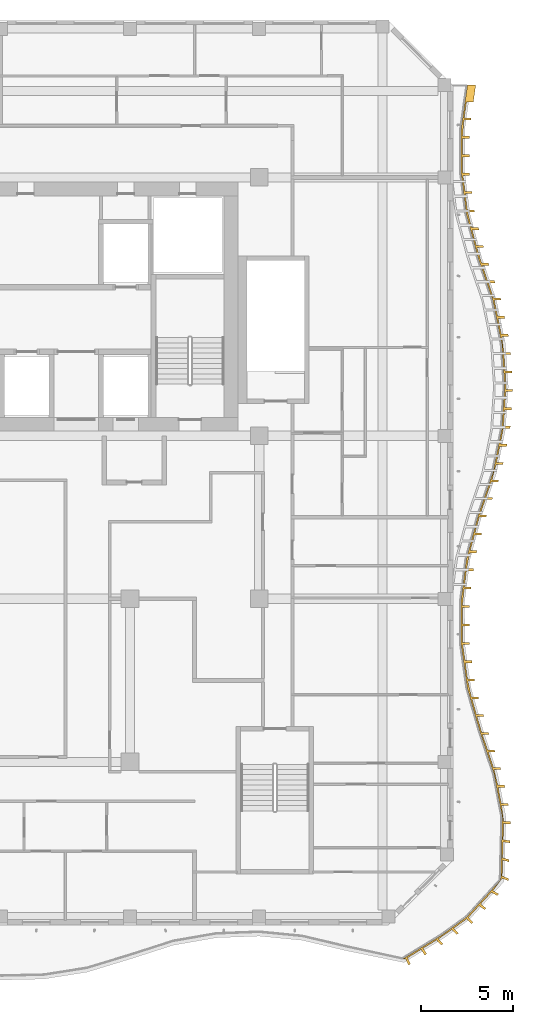
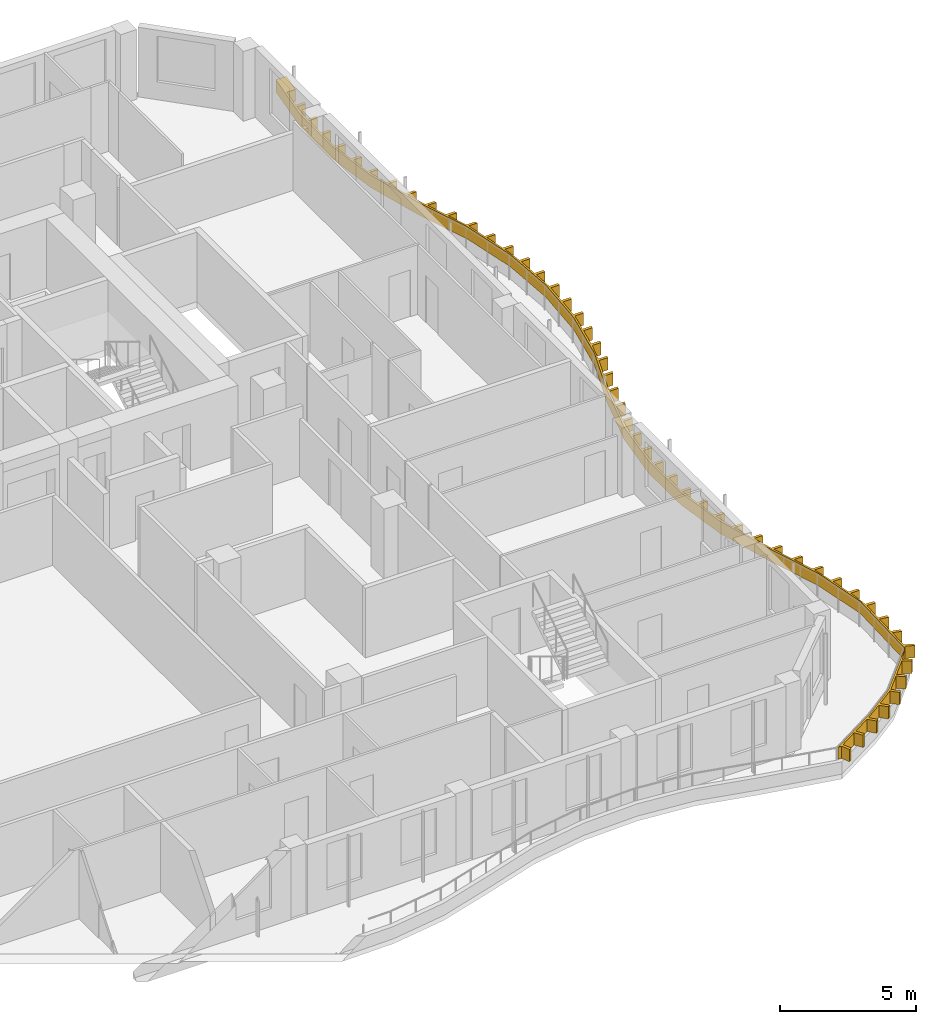
# One storey, part 17 of 18: 1 shading device.
"""IFC4 building model written with IfcOpenShell, lengths in metres."""

from ifc_helpers import new_model, si_unit, direction, frame, origin, place, context, subcontext, project, spatial, polyline, outline, extrude, source, transform, mapped, material, layer, layer_set, type_object, element, save


model = new_model("IFC4")

# Units and contexts
model_context = context("Model", 3, precision=1e-05, world=origin(), true_north=direction((0.0, 1.0)))
body_context = subcontext(model_context, "Body", "Model", "MODEL_VIEW")
ifc_project = project(units=[si_unit("LENGTHUNIT", "METRE"), si_unit("AREAUNIT", "SQUARE_METRE"), si_unit("VOLUMEUNIT", "CUBIC_METRE"), si_unit("PLANEANGLEUNIT", "RADIAN"), si_unit("MASSUNIT", "GRAM", prefix="KILO")], contexts=[model_context])

# Site, building, storey
site_placement = place(None, origin())
site = spatial("IfcSite", under=ifc_project, at=site_placement, CompositionType="ELEMENT")
building_placement = place(site_placement, origin())
building = spatial("IfcBuilding", under=site, at=building_placement, Name="Kilnfold Tower and Market Hall", CompositionType="ELEMENT")
storey_placement = place(building_placement, frame((0.0, 0.0, 256.0)))
storey = spatial("IfcBuildingStorey", under=building, at=storey_placement, Name="L62", CompositionType="ELEMENT", Elevation=256.0)

# Shading device
ifc_material = material(Name="Bronze anodised aluminium", Category="aluminium")
ifc_layer = layer(ifc_material, 0.550048828125)
ifc_layer_set = layer_set([ifc_layer], Name="Bronze anodised aluminium")
shading_device_type = type_object("IfcShadingDeviceType", Name="BRONZE SLAT FASCIA 550", PredefinedType="USERDEFINED", material=ifc_layer_set)
shared_shape = source(origin(), body_context, "Body", "SweptSolid", [
    extrude(outline(polyline([(27.08740234375, -20.6787109375), (26.937744140625, -20.341552734375), (26.8037109375, -20.331787109375), (28.888427734375, -19.054931640625), (30.239990234375, -18.0732421875), (32.085205078125, -16.07080078125), (32.1748046875, -12.666748046875), (31.730224609375, -10.333251953125), (30.949462890625, -8.0), (30.28076171875, -5.666748046875), (29.94775390625, -3.333251953125), (29.931396484375, -1.0), (30.230712890625, 1.333251953125), (30.86279296875, 3.666748046875), (31.66455078125, 6.0), (32.1435546875, 8.333251953125), (32.300048828125, 10.666748046875), (32.142333984375, 13.0), (31.662109375, 15.333251953125), (30.85986328125, 17.666748046875), (30.22900390625, 20.0), (29.930908203125, 22.333251953125), (29.948486328125, 24.666748046875), (30.282470703125, 27.0), (30.732421875, 27.0), (30.603515625, 26.098876953125), (30.2333984375, 26.098876953125), (30.108642578125, 25.227783203125), (30.478759765625, 25.227783203125), (30.461669921875, 25.10888671875), (30.091796875, 25.10888671875), (30.025146484375, 24.2333984375), (30.39501953125, 24.2333984375), (30.394287109375, 24.113525390625), (30.024169921875, 24.113525390625), (30.017578125, 23.233642578125), (30.3876953125, 23.233642578125), (30.38671875, 23.113525390625), (30.0166015625, 23.113525390625), (30.0234375, 22.234375), (30.393310546875, 22.234375), (30.40869140625, 22.115478515625), (30.038818359375, 22.115478515625), (30.150146484375, 21.242431640625), (30.520263671875, 21.242431640625), (30.535400390625, 21.123291015625), (30.165283203125, 21.123291015625), (30.277099609375, 20.25048828125), (30.64697265625, 20.25048828125), (30.662109375, 20.131591796875), (30.292236328125, 20.131591796875), (30.504150390625, 19.278564453125), (30.8740234375, 19.278564453125), (30.905517578125, 19.16259765625), (30.535400390625, 19.16259765625), (30.76513671875, 18.31298828125), (31.135009765625, 18.31298828125), (31.16650390625, 18.197265625), (30.79638671875, 18.197265625), (31.04736328125, 17.354248046875), (31.417236328125, 17.354248046875), (31.456298828125, 17.24072265625), (31.086181640625, 17.24072265625), (31.372314453125, 16.40869140625), (31.742431640625, 16.40869140625), (31.781494140625, 16.295166015625), (31.411376953125, 16.295166015625), (31.697509765625, 15.462890625), (32.0673828125, 15.462890625), (32.1064453125, 15.349609375), (31.736572265625, 15.349609375), (31.916015625, 14.488037109375), (32.2861328125, 14.488037109375), (32.310302734375, 14.37060546875), (31.940185546875, 14.37060546875), (32.11767578125, 13.5087890625), (32.48779296875, 13.5087890625), (32.511962890625, 13.39111328125), (32.141845703125, 13.39111328125), (32.2548828125, 12.5205078125), (32.624755859375, 12.5205078125), (32.6328125, 12.400634765625), (32.262939453125, 12.400634765625), (32.322265625, 11.522705078125), (32.692138671875, 11.522705078125), (32.7001953125, 11.403076171875), (32.330322265625, 11.403076171875), (32.37060546875, 10.52490234375), (32.740478515625, 10.52490234375), (32.732421875, 10.4052734375), (32.362548828125, 10.4052734375), (32.3037109375, 9.527099609375), (32.673583984375, 9.527099609375), (32.66552734375, 9.407470703125), (32.295654296875, 9.407470703125), (32.23681640625, 8.529296875), (32.606689453125, 8.529296875), (32.5986328125, 8.40966796875), (32.228759765625, 8.40966796875), (32.06201171875, 7.54638671875), (32.431884765625, 7.54638671875), (32.407958984375, 7.4287109375), (32.037841796875, 7.4287109375), (31.86083984375, 6.566650390625), (32.23095703125, 6.566650390625), (32.206787109375, 6.44921875), (31.836669921875, 6.44921875), (31.607666015625, 5.601318359375), (31.9775390625, 5.601318359375), (31.938720703125, 5.48779296875), (31.568603515625, 5.48779296875), (31.28271484375, 4.65576171875), (31.652587890625, 4.65576171875), (31.61376953125, 4.542236328125), (31.24365234375, 4.542236328125), (30.957763671875, 3.7099609375), (31.327880859375, 3.7099609375), (31.29345703125, 3.594970703125), (30.923583984375, 3.594970703125), (30.693359375, 2.74560546875), (31.063232421875, 2.74560546875), (31.031982421875, 2.6298828125), (30.662109375, 2.6298828125), (30.431884765625, 1.780517578125), (30.8017578125, 1.780517578125), (30.7705078125, 1.66455078125), (30.400390625, 1.66455078125), (30.242431640625, 0.80078125), (30.6123046875, 0.80078125), (30.59716796875, 0.681884765625), (30.22705078125, 0.681884765625), (30.115234375, -0.19091796875), (30.485107421875, -0.19091796875), (30.469970703125, -0.31005859375), (30.099853515625, -0.31005859375), (30.0126953125, -1.184326171875), (30.3828125, -1.184326171875), (30.383544921875, -1.30419921875), (30.013427734375, -1.30419921875), (30.019775390625, -2.184326171875), (30.3896484375, -2.184326171875), (30.390380859375, -2.30419921875), (30.0205078125, -2.30419921875), (30.026611328125, -3.184326171875), (30.396728515625, -3.184326171875), (30.3974609375, -3.30419921875), (30.027587890625, -3.30419921875), (30.14794921875, -4.17578125), (30.517822265625, -4.17578125), (30.534912109375, -4.294677734375), (30.164794921875, -4.294677734375), (30.289306640625, -5.165771484375), (30.6591796875, -5.165771484375), (30.67626953125, -5.284423828125), (30.30615234375, -5.284423828125), (30.496826171875, -6.1416015625), (30.86669921875, -6.1416015625), (30.89990234375, -6.2568359375), (30.52978515625, -6.2568359375), (30.772216796875, -7.102783203125), (31.142333984375, -7.102783203125), (31.17529296875, -7.21826171875), (30.805419921875, -7.21826171875), (31.05078125, -8.063232421875), (31.420654296875, -8.063232421875), (31.458740234375, -8.177001953125), (31.088623046875, -8.177001953125), (31.367919921875, -9.01171875), (31.738037109375, -9.01171875), (31.776123046875, -9.12548828125), (31.406005859375, -9.12548828125), (31.685302734375, -9.9599609375), (32.055419921875, -9.9599609375), (32.093505859375, -10.07373046875), (31.723388671875, -10.07373046875), (31.923583984375, -10.9287109375), (32.293701171875, -10.9287109375), (32.316162109375, -11.046630859375), (31.9462890625, -11.046630859375), (32.11083984375, -11.9111328125), (32.480712890625, -11.9111328125), (32.50341796875, -12.029052734375), (32.13330078125, -12.029052734375), (32.247802734375, -12.894287109375), (32.616455078125, -12.90380859375), (32.6123046875, -13.027099609375), (32.244140625, -13.0126953125), (32.21875, -13.880615234375), (32.5810546875, -13.930908203125), (32.57666015625, -14.05419921875), (32.215576171875, -13.998779296875), (32.19140625, -14.86669921875), (32.54541015625, -14.9580078125), (32.541259765625, -15.0810546875), (32.188232421875, -14.985107421875), (32.16552734375, -15.853271484375), (32.510009765625, -15.98486328125), (32.505615234375, -16.108154296875), (32.162353515625, -15.9716796875), (31.65966796875, -16.642822265625), (31.981689453125, -16.8173828125), (31.898193359375, -16.909423828125), (31.57958984375, -16.729736328125), (30.994140625, -17.36669921875), (31.28759765625, -17.584716796875), (31.20458984375, -17.6767578125), (30.91455078125, -17.453857421875), (30.33056640625, -18.09228515625), (30.593994140625, -18.351806640625), (30.55810546875, -18.3916015625), (30.502685546875, -18.431640625), (30.2412109375, -18.170166015625), (29.529052734375, -18.687255859375), (29.790771484375, -18.948974609375), (29.693603515625, -19.019287109375), (29.431884765625, -18.7578125), (28.711669921875, -19.253662109375), (28.9609375, -19.524658203125), (28.854736328125, -19.58984375), (28.611083984375, -19.31494140625), (27.8740234375, -19.765380859375), (28.0771484375, -20.069091796875), (27.97119140625, -20.134521484375), (27.773681640625, -19.8271484375), (27.0380859375, -20.27978515625), (27.193359375, -20.613525390625), (27.08740234375, -20.6787109375)])), origin(), (0.0, 0.0, 1.0), 0.550048828125),
])
shading_device_placement = place(storey_placement, frame((0.0, 0.0, 0.550048828125)))
element("IfcShadingDevice", 1, at=shading_device_placement, inside=storey, type_object=shading_device_type, Name="Balcony slat fascia L62", ObjectType="SLAT", PredefinedType="USERDEFINED", context=body_context, shape_type="MappedRepresentation", body=[
    mapped(shared_shape, transform((0.0, 0.0, 0.0))),
])

save(model, "model.ifc")
